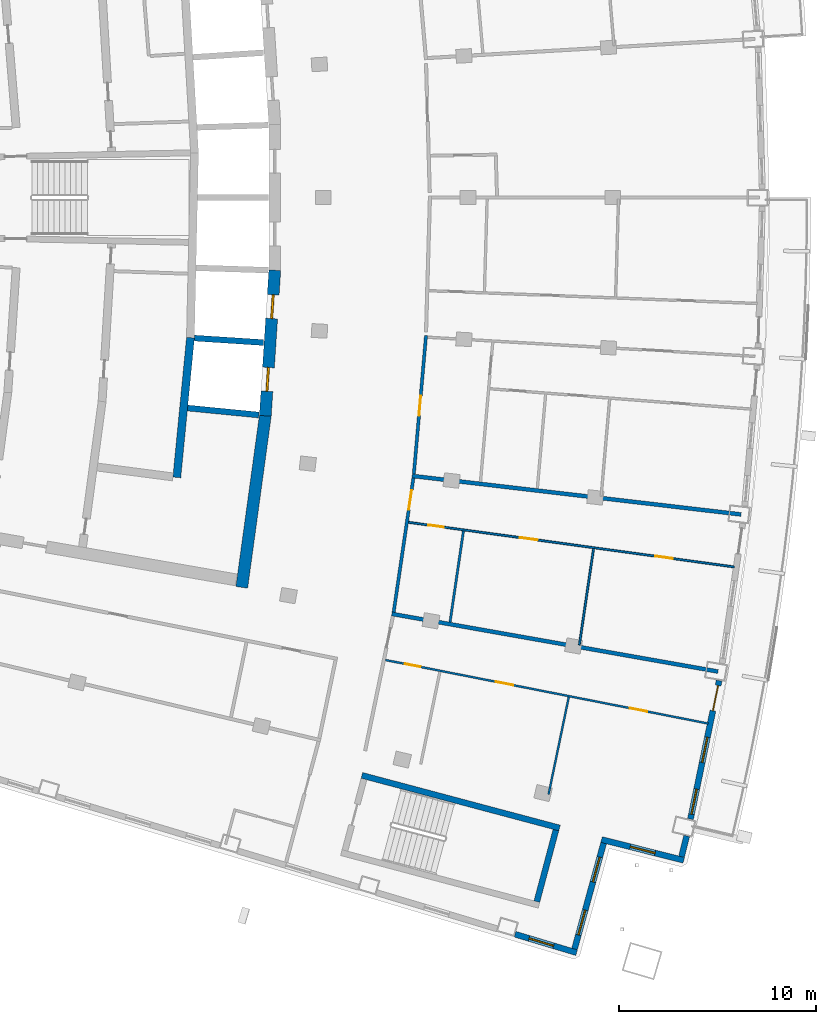
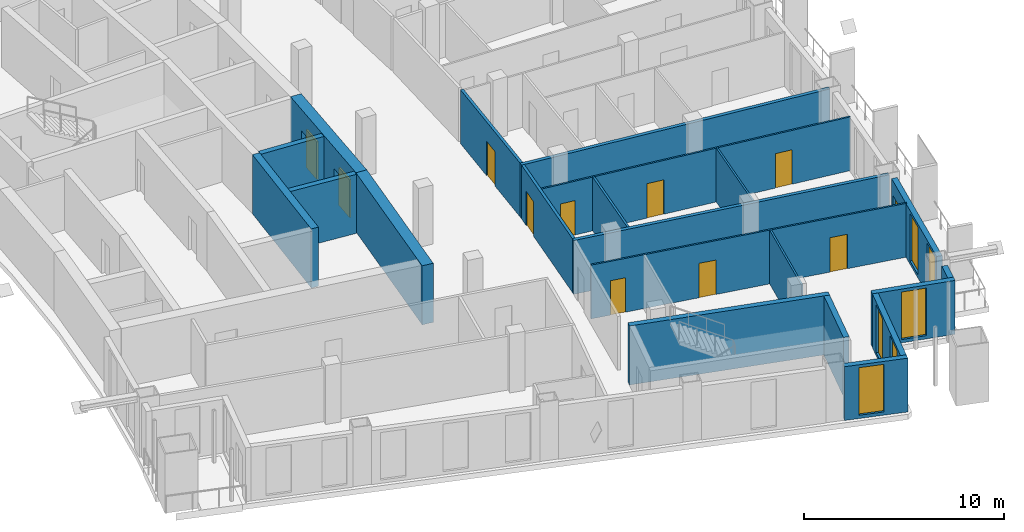
# One storey, part 10 of 17: 21 walls, 11 doors, 6 windows, 17 openings.
"""IFC4 building model written with IfcOpenShell, lengths in metres."""

import ifcopenshell
import ifcopenshell.guid

model = None  # the IFC model being written
_history = None  # IfcOwnerHistory: only IFC2X3 demands one
_inside = {}  # id of a spatial element -> (the spatial element, [elements in it])
_under = {}  # id of a project, library or spatial element -> (it, [spatial elements below it])
_declared = {}  # id of a project -> (the project, [libraries it declares])
_typed = {}  # id of a type object -> (the type object, [elements of that type])
_made_of = {}  # id of a material, layer set ... -> (it, [elements and type objects made of it])


def new_model(schema):
    """Start an empty IFC model of exactly this schema.

    Asked for "IFC4X3", IfcOpenShell would pick the latest addendum, in which some entities
    have other attributes; the version numbers below select the first issue.
    IFC2X3 requires an IfcOwnerHistory on every rooted entity: one is made here for all.
    """
    global model, _history
    if schema == "IFC4X3":
        model = ifcopenshell.file(schema_version=(4, 3, 0, 0))
    else:
        model = ifcopenshell.file(schema=schema)
    _inside.clear()
    _under.clear()
    _declared.clear()
    _typed.clear()
    _made_of.clear()
    _history = None
    if model.schema == "IFC2X3":
        org = make("IfcOrganization", Name="unknown")
        user = make(
            "IfcPersonAndOrganization",
            ThePerson=make("IfcPerson", FamilyName="unknown"),
            TheOrganization=org,
        )
        app = make(
            "IfcApplication",
            ApplicationDeveloper=org,
            Version="unknown",
            ApplicationFullName="unknown",
            ApplicationIdentifier="unknown",
        )
        _history = make(
            "IfcOwnerHistory",
            OwningUser=user,
            OwningApplication=app,
            ChangeAction="ADDED",
            CreationDate=0,
        )
    return model


def make(cls, **values):
    """One entity of the class cls with the attributes given. An attribute that is None is left unset."""
    return model.create_entity(
        cls, **{name: value for name, value in values.items() if value is not None}
    )


def rooted(cls, **values):
    """An entity with a GlobalId (a new one), such as an element, a storey or a relation."""
    return make(cls, GlobalId=ifcopenshell.guid.new(), OwnerHistory=_history, **values)


def si_unit(unit_type, name, prefix=None):
    """IfcSIUnit, for example si_unit("LENGTHUNIT", "METRE", prefix="MILLI")."""
    return make("IfcSIUnit", UnitType=unit_type, Prefix=prefix, Name=name)


def assignment(units):
    """IfcUnitAssignment: the units of a project."""
    return None if units is None else make("IfcUnitAssignment", Units=units)


def point(xyz):
    """IfcCartesianPoint."""
    return None if xyz is None else make("IfcCartesianPoint", Coordinates=xyz)


def direction(xyz):
    """IfcDirection."""
    return None if xyz is None else make("IfcDirection", DirectionRatios=xyz)


def frame(location, z_axis=None, x_axis=None):
    """IfcAxis2Placement3D, a coordinate frame: its origin and axes. An axis left out is left unset."""
    return make(
        "IfcAxis2Placement3D",
        Location=point(location),
        Axis=direction(z_axis),
        RefDirection=direction(x_axis),
    )


def frame_2d(location, x_axis=None):
    """IfcAxis2Placement2D, a coordinate frame in the plane: its origin and x axis."""
    return make(
        "IfcAxis2Placement2D", Location=point(location), RefDirection=direction(x_axis)
    )


def origin():
    """The frame at (0, 0, 0) with its axes left unset."""
    return frame((0.0, 0.0, 0.0))


def place(relative_to, where):
    """IfcLocalPlacement: puts the frame where relative to a parent placement (None: the world)."""
    return make(
        "IfcLocalPlacement", PlacementRelTo=relative_to, RelativePlacement=where
    )


def context(
    kind, dimensions, precision=None, world=None, true_north=None, identifier=None
):
    """IfcGeometricRepresentationContext, for example the 3D "Model" context."""
    return make(
        "IfcGeometricRepresentationContext",
        ContextIdentifier=identifier,
        ContextType=kind,
        CoordinateSpaceDimension=dimensions,
        Precision=precision,
        WorldCoordinateSystem=world,
        TrueNorth=true_north,
    )


def subcontext(parent, identifier, kind, view, scale=None):
    """IfcGeometricRepresentationSubContext, for example "Body" below "Model"."""
    return make(
        "IfcGeometricRepresentationSubContext",
        ContextIdentifier=identifier,
        ContextType=kind,
        ParentContext=parent,
        TargetScale=scale,
        TargetView=view,
    )


def project(units=None, contexts=None):
    """IfcProject with its units and contexts."""
    return rooted(
        "IfcProject",
        Name="project",
        RepresentationContexts=contexts,
        UnitsInContext=assignment(units),
    )


def spatial(cls, under=None, at=None, **own):
    """A site, building, storey or space (cls), placed at a placement, below another one or the project."""
    s = rooted(cls, ObjectPlacement=at, **own)
    if under is not None:
        _under.setdefault(under.id(), (under, []))[1].append(s)
    return s


def profile(cls, at=None, kind="AREA", **sizes):
    """A parametric profile (cls). Its sizes go by their IFC names, for example OverallWidth=200.0."""
    return make(cls, ProfileType=kind, Position=at, **sizes)


def rectangle(**sizes):
    """IfcRectangleProfileDef."""
    return profile("IfcRectangleProfileDef", **sizes)


def extrude(swept, where, along, depth):
    """IfcExtrudedAreaSolid: the profile swept, set in the frame where, extruded along a direction by depth."""
    return make(
        "IfcExtrudedAreaSolid",
        SweptArea=swept,
        Position=where,
        ExtrudedDirection=direction(along),
        Depth=depth,
    )


def shape(context_of_items, identifier, shape_type, items):
    """IfcShapeRepresentation: the items that make up one representation, for example the "Body"."""
    return make(
        "IfcShapeRepresentation",
        ContextOfItems=context_of_items,
        RepresentationIdentifier=identifier,
        RepresentationType=shape_type,
        Items=items,
    )


def material(Name=None, Category=None):
    """IfcMaterial."""
    return make("IfcMaterial", Name=Name, Category=Category)


def layer(
    of_material, thickness, ventilated=None, Name=None, Category=None, Priority=None
):
    """IfcMaterialLayer: one layer of a wall or slab, of a material (None: an air gap)."""
    return make(
        "IfcMaterialLayer",
        Material=of_material,
        LayerThickness=thickness,
        IsVentilated=ventilated,
        Name=Name,
        Category=Category,
        Priority=Priority,
    )


def layer_set(layers, Name=None):
    """IfcMaterialLayerSet."""
    return make("IfcMaterialLayerSet", MaterialLayers=layers, LayerSetName=Name)


def made_of(thing, what):
    """Note that an element or type object is made of a material, layer set ...; save() writes the relation."""
    if what is not None:
        _made_of.setdefault(what.id(), (what, []))[1].append(thing)
    return thing


def type_object(cls, material=None, **own):
    """A type object (cls), such as IfcWallType, which elements share."""
    return made_of(rooted(cls, **own), material)


def element(
    cls,
    number,
    at=None,
    inside=None,
    cuts=None,
    type_object=None,
    material=None,
    context=None,
    identifier="Body",
    shape_type=None,
    held_by="IfcProductDefinitionShape",
    body=None,
    shapes=None,
    **own,
):
    """One element of the class cls, such as IfcWall. Its Tag is "e" and its number.

    at: its placement. inside: the storey or other place that contains it. cuts: it is an
    opening in that element (IfcRelVoidsElement). A single representation is given by context,
    identifier, shape_type and body (its items); several are given by shapes. held_by: the class
    of the entity that holds the representations. save() writes the other relations.
    """
    e = rooted(cls, Tag="e%d" % number, ObjectPlacement=at, **own)
    if body is not None:
        shapes = [shape(context, identifier, shape_type, body)]
    if shapes is not None:
        e.Representation = make(held_by, Representations=shapes)
    if inside is not None:
        _inside.setdefault(inside.id(), (inside, []))[1].append(e)
    if cuts is not None:
        rooted(
            "IfcRelVoidsElement", RelatingBuildingElement=cuts, RelatedOpeningElement=e
        )
    if type_object is not None:
        _typed.setdefault(type_object.id(), (type_object, []))[1].append(e)
    return made_of(e, material)


def fill(opening, filler):
    """IfcRelFillsElement: the door or window that sits in an opening."""
    return rooted(
        "IfcRelFillsElement",
        RelatingOpeningElement=opening,
        RelatedBuildingElement=filler,
    )


def aggregate(whole, parts):
    """IfcRelAggregates: a whole, such as a stair, and the parts it consists of."""
    return rooted("IfcRelAggregates", RelatingObject=whole, RelatedObjects=parts)


def save(model, path):
    """Write the relations noted so far, then the file.

    IfcRelAggregates (storeys below a building ...), IfcRelContainedInSpatialStructure (elements
    in a storey), IfcRelDefinesByType, IfcRelAssociatesMaterial and IfcRelDeclares: one each for
    every whole, place, type object, material and project.
    """
    for whole, parts in _under.values():
        aggregate(whole, parts)
    for where, things in _inside.values():
        rooted(
            "IfcRelContainedInSpatialStructure",
            RelatedElements=things,
            RelatingStructure=where,
        )
    for kind, things in _typed.values():
        rooted("IfcRelDefinesByType", RelatedObjects=things, RelatingType=kind)
    for what, things in _made_of.values():
        rooted("IfcRelAssociatesMaterial", RelatedObjects=things, RelatingMaterial=what)
    for by, libraries in _declared.values():
        rooted("IfcRelDeclares", RelatingContext=by, RelatedDefinitions=libraries)
    model.write(path)


model = new_model("IFC4")

# Units and contexts
model_context = context("Model", 3, precision=1e-05, world=origin(), true_north=direction((0.0, 1.0)))
body_context = subcontext(model_context, "Body", "Model", "MODEL_VIEW")
ifc_project = project(units=[si_unit("LENGTHUNIT", "METRE"), si_unit("AREAUNIT", "SQUARE_METRE"), si_unit("VOLUMEUNIT", "CUBIC_METRE"), si_unit("PLANEANGLEUNIT", "RADIAN"), si_unit("MASSUNIT", "GRAM", prefix="KILO")], contexts=[model_context])

# Site, building, storey
site_placement = place(None, origin())
site = spatial("IfcSite", under=ifc_project, at=site_placement, CompositionType="ELEMENT")
building_placement = place(site_placement, origin())
building = spatial("IfcBuilding", under=site, at=building_placement, Name="Alderwake Tower", CompositionType="ELEMENT")
storey_placement = place(building_placement, frame((0.0, 0.0, 218.0)))
storey = spatial("IfcBuildingStorey", under=building, at=storey_placement, Name="L54", CompositionType="ELEMENT", Elevation=218.0)

# Wall
ifc_material_1 = material(Name="Concrete C70/85", Category="concrete")
ifc_layer_1 = layer(ifc_material_1, 0.60009765625)
ifc_layer_set_1 = layer_set([ifc_layer_1], Name="Core wall outer 600 C70-85")
wall_type_1 = type_object("IfcWallType", Name="Core wall outer 600 C70-85", PredefinedType="SHEAR", material=ifc_layer_set_1)
wall_1_placement = place(storey_placement, frame((31.66796875, 41.256103515625, 0.0), z_axis=(0.0, 0.0, 1.0), x_axis=(0.135856583698, 0.990728514108, 0.0)))
element("IfcWall", 1, at=wall_1_placement, inside=storey, type_object=wall_type_1, Name="Core wall CW.017", PredefinedType="SHEAR", context=body_context, shape_type="SweptSolid", body=[
    extrude(rectangle(XDim=8.79296875, YDim=0.60009765625, at=frame_2d((4.396484375, 0.0))), origin(), (0.0, 0.0, 1.0), 3.60009765625),
])

# Wall, openings, doors
wall_2_placement = place(storey_placement, frame((32.860107421875, 49.9453125, 0.0), z_axis=(0.0, 0.0, 1.0), x_axis=(0.065013379938, 0.997884392317, 0.0)))
wall_2 = element("IfcWall", 2, at=wall_2_placement, inside=storey, type_object=wall_type_1, Name="Core wall CW.016", PredefinedType="SHEAR", context=body_context, shape_type="SweptSolid", body=[
    extrude(rectangle(XDim=7.39404296875, YDim=0.60009765625, at=frame_2d((3.697021484375, 0.0))), origin(), (0.0, 0.0, 1.0), 3.60009765625),
])
opening_1_placement = place(wall_2_placement, frame((1.254150390625, 0.0, 0.0)))
opening_1 = element("IfcOpeningElement", 3, at=opening_1_placement, cuts=wall_2, Name="Opening LD-HP1", PredefinedType="OPENING", context=body_context, shape_type="SweptSolid", body=[
    extrude(rectangle(XDim=1.199951171875, YDim=2.300048828125, at=frame_2d((0.60009765625, 1.14990234375))), frame((0.0, 0.31005859375, 0.0), z_axis=(0.0, -1.0, 0.0), x_axis=(1.0, 0.0, 0.0)), (0.0, 0.0, 1.0), 0.6201171875),
])
opening_2_placement = place(wall_2_placement, frame((4.941162109375, 0.0, 0.0)))
opening_2 = element("IfcOpeningElement", 4, at=opening_2_placement, cuts=wall_2, Name="Opening LD-HP2", PredefinedType="OPENING", context=body_context, shape_type="SweptSolid", body=[
    extrude(rectangle(XDim=1.199951171875, YDim=2.300048828125, at=frame_2d((0.60009765625, 1.14990234375))), frame((0.0, 0.31005859375, 0.0), z_axis=(0.0, -1.0, 0.0), x_axis=(1.0, 0.0, 0.0)), (0.0, 0.0, 1.0), 0.6201171875),
])
ifc_material_2 = material(Name="Stainless steel sliding leaf", Category="steel")
door_type_1 = type_object("IfcDoorType", Name="Lift landing door 1200", OperationType="SLIDING_TO_LEFT", PredefinedType="DOOR", material=ifc_material_2)
door_1_placement = place(opening_1_placement, origin())
door_1 = element("IfcDoor", 5, at=door_1_placement, inside=storey, type_object=door_type_1, Name="Lift landing door HP1", OperationType="SLIDING_TO_LEFT", OverallHeight=2.300048828125, OverallWidth=1.199951171875, PredefinedType="DOOR", context=body_context, shape_type="SweptSolid", body=[
    extrude(rectangle(XDim=1.199951171875, YDim=2.300048828125, at=frame_2d((0.60009765625, 1.14990234375))), frame((0.0, 0.050048828125, 0.0), z_axis=(0.0, -1.0, 0.0), x_axis=(1.0, 0.0, 0.0)), (0.0, 0.0, 1.0), 0.10009765625),
])
fill(opening_1, door_1)
door_2_placement = place(opening_2_placement, origin())
door_2 = element("IfcDoor", 6, at=door_2_placement, inside=storey, type_object=door_type_1, Name="Lift landing door HP2", OperationType="SLIDING_TO_LEFT", OverallHeight=2.300048828125, OverallWidth=1.199951171875, PredefinedType="DOOR", context=body_context, shape_type="SweptSolid", body=[
    extrude(rectangle(XDim=1.199951171875, YDim=2.300048828125, at=frame_2d((0.60009765625, 1.14990234375))), frame((0.0, 0.050048828125, 0.0), z_axis=(0.0, -1.0, 0.0), x_axis=(1.0, 0.0, 0.0)), (0.0, 0.0, 1.0), 0.10009765625),
])
fill(opening_2, door_2)

# Walls
ifc_material_3 = material(Name="Concrete C70/85", Category="concrete")
ifc_layer_2 = layer(ifc_material_3, 0.300048828125)
ifc_layer_set_2 = layer_set([ifc_layer_2], Name="Core wall shaft 300 C70-85")
wall_type_2 = type_object("IfcWallType", Name="Core wall shaft 300 C70-85", PredefinedType="SHEAR", material=ifc_layer_set_2)
wall_3_placement = place(storey_placement, frame((28.922119140625, 50.341796875, 0.0), z_axis=(0.0, 0.0, 1.0), x_axis=(0.995246193762, -0.097391035529, 0.0)))
element("IfcWall", 7, at=wall_3_placement, inside=storey, type_object=wall_type_2, Name="Core wall CW.064", PredefinedType="SHEAR", context=body_context, shape_type="SweptSolid", body=[
    extrude(rectangle(XDim=3.62744140625, YDim=0.300048828125, at=frame_2d((1.813720703125, 0.0))), origin(), (0.0, 0.0, 1.0), 3.60009765625),
])
wall_4_placement = place(storey_placement, frame((29.268798828125, 53.884521484375, 0.0), z_axis=(0.0, 0.0, 1.0), x_axis=(0.997887366571, -0.064967712281, 0.0)))
element("IfcWall", 8, at=wall_4_placement, inside=storey, type_object=wall_type_2, Name="Core wall CW.078", PredefinedType="SHEAR", context=body_context, shape_type="SweptSolid", body=[
    extrude(rectangle(XDim=3.509765625, YDim=0.300048828125, at=frame_2d((1.7548828125, 0.0))), origin(), (0.0, 0.0, 1.0), 3.60009765625),
])
ifc_material_4 = material(Name="Concrete C70/85", Category="concrete")
ifc_layer_3 = layer(ifc_material_4, 0.39990234375)
ifc_layer_set_3 = layer_set([ifc_layer_3], Name="Core wall spine 400 C70-85")
wall_type_3 = type_object("IfcWallType", Name="Core wall spine 400 C70-85", PredefinedType="SHEAR", material=ifc_layer_set_3)
wall_5_placement = place(storey_placement, frame((28.376953125, 46.8251953125, 0.0), z_axis=(0.0, 0.0, 1.0), x_axis=(0.097393469943, 0.995245955537, 0.0)))
element("IfcWall", 9, at=wall_5_placement, inside=storey, type_object=wall_type_3, Name="Core wall CW.005", PredefinedType="SHEAR", context=body_context, shape_type="SweptSolid", body=[
    extrude(rectangle(XDim=7.1142578125, YDim=0.39990234375, at=frame_2d((3.55712890625, 0.0))), origin(), (0.0, 0.0, 1.0), 3.60009765625),
])
ifc_material_5 = material(Name="Concrete C70/85", Category="concrete")
ifc_layer_4 = layer(ifc_material_5, 0.300048828125)
ifc_layer_set_4 = layer_set([ifc_layer_4], Name="Core wall stair enclosure 300 C70-85")
wall_type_4 = type_object("IfcWallType", Name="Core wall stair enclosure 300 C70-85", PredefinedType="SHEAR", material=ifc_layer_set_4)
wall_6_placement = place(storey_placement, frame((37.75390625, 31.731201171875, 0.0), z_axis=(0.0, 0.0, 1.0), x_axis=(0.966309214305, -0.257383958996, 0.0)))
element("IfcWall", 10, at=wall_6_placement, inside=storey, type_object=wall_type_4, Name="Core wall CW.086", PredefinedType="SHEAR", context=body_context, shape_type="SweptSolid", body=[
    extrude(rectangle(XDim=10.360107421875, YDim=0.300048828125, at=frame_2d((5.18017578125, 0.0))), origin(), (0.0, 0.0, 1.0), 3.60009765625),
])
wall_7_placement = place(storey_placement, frame((46.6162109375, 25.334716796875, 0.0), z_axis=(0.0, 0.0, 1.0), x_axis=(0.257366821694, 0.966313778796, 0.0)))
element("IfcWall", 11, at=wall_7_placement, inside=storey, type_object=wall_type_4, Name="Core wall CW.085", PredefinedType="SHEAR", context=body_context, shape_type="SweptSolid", body=[
    extrude(rectangle(XDim=3.749755859375, YDim=0.300048828125, at=frame_2d((1.875, 0.0))), origin(), (0.0, 0.0, 1.0), 3.60009765625),
])

# Wall, opening, door
ifc_material_6 = material(Name="Gypsum board on metal studs, rated")
ifc_layer_5 = layer(ifc_material_6, 0.159912109375)
ifc_layer_set_5 = layer_set([ifc_layer_5], Name="Corridor wall 160")
wall_type_5 = type_object("IfcWallType", Name="Corridor wall 160", PredefinedType="PARTITIONING", material=ifc_layer_set_5)
wall_8_placement = place(storey_placement, frame((40.3623046875, 46.7939453125, 0.0), z_axis=(0.0, 0.0, 1.0), x_axis=(-0.1455042199, -0.989357630987, 0.0)))
wall_8 = element("IfcWall", 12, at=wall_8_placement, inside=storey, type_object=wall_type_5, Name="WL/L54/W19", PredefinedType="PARTITIONING", context=body_context, shape_type="SweptSolid", body=[
    extrude(rectangle(XDim=6.87109375, YDim=0.159912109375, at=frame_2d((3.435546875, 0.0))), origin(), (0.0, 0.0, 1.0), 3.280029296875),
])
opening_3_placement = place(wall_8_placement, frame((0.628662109375, 0.0, 0.0)))
opening_3 = element("IfcOpeningElement", 13, at=opening_3_placement, cuts=wall_8, Name="Opening R15-U04.2", PredefinedType="OPENING", context=body_context, shape_type="SweptSolid", body=[
    extrude(rectangle(XDim=1.0, YDim=2.10009765625, at=frame_2d((0.5, 1.050048828125))), frame((0.0, 0.08984375, 0.0), z_axis=(0.0, -1.0, 0.0), x_axis=(1.0, 0.0, 0.0)), (0.0, 0.0, 1.0), 0.179931640625),
])
ifc_material_7 = material(Name="Solid timber leaf in steel frame", Category="steel")
door_type_2 = type_object("IfcDoorType", Name="Flat entrance door 1000 fire-rated", OperationType="SINGLE_SWING_LEFT", PredefinedType="DOOR", material=ifc_material_7)
door_3_placement = place(opening_3_placement, origin())
door_3 = element("IfcDoor", 14, at=door_3_placement, inside=storey, type_object=door_type_2, Name="DR/L54/U04.2", OperationType="SINGLE_SWING_LEFT", OverallHeight=2.10009765625, OverallWidth=1.0, PredefinedType="DOOR", context=body_context, shape_type="SweptSolid", body=[
    extrude(rectangle(XDim=1.0, YDim=2.10009765625, at=frame_2d((0.5, 1.050048828125))), frame((0.0, 0.02490234375, 0.0), z_axis=(0.0, -1.0, 0.0), x_axis=(1.0, 0.0, 0.0)), (0.0, 0.0, 1.0), 0.050048828125),
])
fill(opening_3, door_3)

wall_9_placement = place(storey_placement, frame((41.001953125, 54.013671875, 0.0), z_axis=(0.0, 0.0, 1.0), x_axis=(-0.087430787456, -0.996170596537, 0.0)))
wall_9 = element("IfcWall", 15, at=wall_9_placement, inside=storey, type_object=wall_type_5, Name="WL/L54/W21", PredefinedType="PARTITIONING", context=body_context, shape_type="SweptSolid", body=[
    extrude(rectangle(XDim=7.048095703125, YDim=0.159912109375, at=frame_2d((3.52392578125, 0.0))), origin(), (0.0, 0.0, 1.0), 3.280029296875),
])
opening_4_placement = place(wall_9_placement, frame((3.064208984375, 0.0, 0.0)))
opening_4 = element("IfcOpeningElement", 16, at=opening_4_placement, cuts=wall_9, Name="Opening R15-U05.2", PredefinedType="OPENING", context=body_context, shape_type="SweptSolid", body=[
    extrude(rectangle(XDim=1.0, YDim=2.10009765625, at=frame_2d((0.5, 1.050048828125))), frame((0.0, 0.08984375, 0.0), z_axis=(0.0, -1.0, 0.0), x_axis=(1.0, 0.0, 0.0)), (0.0, 0.0, 1.0), 0.179931640625),
])
door_4_placement = place(opening_4_placement, origin())
door_4 = element("IfcDoor", 17, at=door_4_placement, inside=storey, type_object=door_type_2, Name="DR/L54/U05.2", OperationType="SINGLE_SWING_LEFT", OverallHeight=2.10009765625, OverallWidth=1.0, PredefinedType="DOOR", context=body_context, shape_type="SweptSolid", body=[
    extrude(rectangle(XDim=1.0, YDim=2.10009765625, at=frame_2d((0.5, 1.050048828125))), frame((0.0, 0.02490234375, 0.0), z_axis=(0.0, -1.0, 0.0), x_axis=(1.0, 0.0, 0.0)), (0.0, 0.0, 1.0), 0.050048828125),
])
fill(opening_4, door_4)

# Wall
ifc_material_8 = material(Name="Precast concrete C50/60 spandrel panel", Category="concrete")
ifc_layer_6 = layer(ifc_material_8, 0.300048828125)
ifc_layer_set_6 = layer_set([ifc_layer_6], Name="External wall EW1 Precast concrete C50/60 spandrel")
wall_type_6 = type_object("IfcWallType", Name="External wall EW1 Precast concrete C50/60 spandrel", PredefinedType="SOLIDWALL", material=ifc_layer_set_6)
wall_10_placement = place(storey_placement, frame((53.948486328125, 27.610107421875, 0.0), z_axis=(0.0, 0.0, 1.0), x_axis=(0.238129221178, 0.971233480694, 0.0)))
element("IfcWall", 18, at=wall_10_placement, inside=storey, type_object=wall_type_6, Name="External wall 11", PredefinedType="SOLIDWALL", context=body_context, shape_type="SweptSolid", body=[
    extrude(rectangle(XDim=1.082763671875, YDim=0.300048828125, at=frame_2d((0.54150390625, 0.0))), origin(), (0.0, 0.0, 1.0), 3.280029296875),
])

# Wall, openings, door, windows
wall_11_placement = place(storey_placement, frame((54.399658203125, 29.517822265625, 0.0), z_axis=(0.0, 0.0, 1.0), x_axis=(0.202724039507, 0.979235908148, 0.0)))
wall_11 = element("IfcWall", 19, at=wall_11_placement, inside=storey, type_object=wall_type_6, Name="External wall 12", PredefinedType="SOLIDWALL", context=body_context, shape_type="SweptSolid", body=[
    extrude(rectangle(XDim=7.1572265625, YDim=0.300048828125, at=frame_2d((3.57861328125, 0.0))), origin(), (0.0, 0.0, 1.0), 3.280029296875),
])
opening_5_placement = place(wall_11_placement, frame((0.24951171875, 0.0, 0.199951171875)))
opening_5 = element("IfcOpeningElement", 20, at=opening_5_placement, cuts=wall_11, Name="Opening W1", PredefinedType="OPENING", context=body_context, shape_type="SweptSolid", body=[
    extrude(rectangle(XDim=1.300048828125, YDim=2.89990234375, at=frame_2d((0.64990234375, 1.449951171875))), frame((0.0, 0.159912109375, 0.0), z_axis=(0.0, -1.0, 0.0), x_axis=(1.0, 0.0, 0.0)), (0.0, 0.0, 1.0), 0.320068359375),
])
opening_6_placement = place(wall_11_placement, frame((2.928466796875, 0.0, 0.199951171875)))
opening_6 = element("IfcOpeningElement", 21, at=opening_6_placement, cuts=wall_11, Name="Opening W1", PredefinedType="OPENING", context=body_context, shape_type="SweptSolid", body=[
    extrude(rectangle(XDim=1.300048828125, YDim=2.89990234375, at=frame_2d((0.64990234375, 1.449951171875))), frame((0.0, 0.159912109375, 0.0), z_axis=(0.0, -1.0, 0.0), x_axis=(1.0, 0.0, 0.0)), (0.0, 0.0, 1.0), 0.320068359375),
])
opening_7_placement = place(wall_11_placement, frame((5.607666015625, 0.0, 0.0)))
opening_7 = element("IfcOpeningElement", 22, at=opening_7_placement, cuts=wall_11, Name="Opening D02", PredefinedType="OPENING", context=body_context, shape_type="SweptSolid", body=[
    extrude(rectangle(XDim=1.300048828125, YDim=2.39990234375, at=frame_2d((0.64990234375, 1.199951171875))), frame((0.0, 0.159912109375, 0.0), z_axis=(0.0, -1.0, 0.0), x_axis=(1.0, 0.0, 0.0)), (0.0, 0.0, 1.0), 0.320068359375),
])
ifc_material_9 = material(Name="Bronze tinted glass in aluminium frame", Category="aluminium")
door_type_3 = type_object("IfcDoorType", Name="Balcony door BD sliding", OperationType="SLIDING_TO_LEFT", PredefinedType="DOOR", material=ifc_material_9)
door_5_placement = place(opening_7_placement, origin())
door_5 = element("IfcDoor", 23, at=door_5_placement, inside=storey, type_object=door_type_3, Name="Door D02", OperationType="SLIDING_TO_LEFT", OverallHeight=2.39990234375, OverallWidth=1.300048828125, PredefinedType="DOOR", context=body_context, shape_type="SweptSolid", body=[
    extrude(rectangle(XDim=1.300048828125, YDim=2.39990234375, at=frame_2d((0.64990234375, 1.199951171875))), frame((0.0, 0.02490234375, 0.0), z_axis=(0.0, -1.0, 0.0), x_axis=(1.0, 0.0, 0.0)), (0.0, 0.0, 1.0), 0.050048828125),
])
fill(opening_7, door_5)
ifc_material_10 = material(Name="Bronze tinted glass in aluminium frame", Category="aluminium")
window_type = type_object("IfcWindowType", Name="Window W1 tall fixed and vent", PartitioningType="DOUBLE_PANEL_VERTICAL", PredefinedType="WINDOW", material=ifc_material_10)
window_1_placement = place(opening_5_placement, origin())
window_1 = element("IfcWindow", 24, at=window_1_placement, inside=storey, type_object=window_type, Name="Window W1 tall fixed and vent", OverallHeight=2.89990234375, OverallWidth=1.300048828125, PartitioningType="DOUBLE_PANEL_VERTICAL", PredefinedType="WINDOW", context=body_context, shape_type="SweptSolid", body=[
    extrude(rectangle(XDim=1.300048828125, YDim=2.89990234375, at=frame_2d((0.64990234375, 1.449951171875))), frame((0.0, 0.030029296875, 0.0), z_axis=(0.0, -1.0, 0.0), x_axis=(1.0, 0.0, 0.0)), (0.0, 0.0, 1.0), 0.06005859375),
])
fill(opening_5, window_1)
window_2_placement = place(opening_6_placement, origin())
window_2 = element("IfcWindow", 25, at=window_2_placement, inside=storey, type_object=window_type, Name="Window W1 tall fixed and vent", OverallHeight=2.89990234375, OverallWidth=1.300048828125, PartitioningType="DOUBLE_PANEL_VERTICAL", PredefinedType="WINDOW", context=body_context, shape_type="SweptSolid", body=[
    extrude(rectangle(XDim=1.300048828125, YDim=2.89990234375, at=frame_2d((0.64990234375, 1.449951171875))), frame((0.0, 0.030029296875, 0.0), z_axis=(0.0, -1.0, 0.0), x_axis=(1.0, 0.0, 0.0)), (0.0, 0.0, 1.0), 0.06005859375),
])
fill(opening_6, window_2)

# Wall, opening, window
ifc_material_11 = material(Name="Bronze metal cladding on lightweight framing")
ifc_layer_7 = layer(ifc_material_11, 0.300048828125)
ifc_layer_set_7 = layer_set([ifc_layer_7], Name="External wall EW2 bronze metal cladding")
wall_type_7 = type_object("IfcWallType", Name="External wall EW2 bronze metal cladding", PredefinedType="SOLIDWALL", material=ifc_layer_set_7)
wall_12_placement = place(storey_placement, frame((45.512451171875, 23.68310546875, 0.0), z_axis=(0.0, 0.0, 1.0), x_axis=(0.95777258911, -0.287526811878, 0.0)))
wall_12 = element("IfcWall", 26, at=wall_12_placement, inside=storey, type_object=wall_type_7, Name="External wall 8", PredefinedType="SOLIDWALL", context=body_context, shape_type="SweptSolid", body=[
    extrude(rectangle(XDim=3.254638671875, YDim=0.300048828125, at=frame_2d((1.62744140625, 0.0))), origin(), (0.0, 0.0, 1.0), 3.280029296875),
])
opening_8_placement = place(wall_12_placement, frame((0.739013671875, 0.0, 0.199951171875)))
opening_8 = element("IfcOpeningElement", 27, at=opening_8_placement, cuts=wall_12, Name="Opening W1", PredefinedType="OPENING", context=body_context, shape_type="SweptSolid", body=[
    extrude(rectangle(XDim=1.300048828125, YDim=2.89990234375, at=frame_2d((0.64990234375, 1.449951171875))), frame((0.0, 0.159912109375, 0.0), z_axis=(0.0, -1.0, 0.0), x_axis=(1.0, 0.0, 0.0)), (0.0, 0.0, 1.0), 0.320068359375),
])
window_3_placement = place(opening_8_placement, origin())
window_3 = element("IfcWindow", 28, at=window_3_placement, inside=storey, type_object=window_type, Name="Window W1 tall fixed and vent", OverallHeight=2.89990234375, OverallWidth=1.300048828125, PartitioningType="DOUBLE_PANEL_VERTICAL", PredefinedType="WINDOW", context=body_context, shape_type="SweptSolid", body=[
    extrude(rectangle(XDim=1.300048828125, YDim=2.89990234375, at=frame_2d((0.64990234375, 1.449951171875))), frame((0.0, 0.030029296875, 0.0), z_axis=(0.0, -1.0, 0.0), x_axis=(1.0, 0.0, 0.0)), (0.0, 0.0, 1.0), 0.06005859375),
])
fill(opening_8, window_3)

# Wall, openings, windows
wall_13_placement = place(storey_placement, frame((48.525634765625, 22.934814453125, 0.0), z_axis=(0.0, 0.0, 1.0), x_axis=(0.265099374795, 0.964221095747, 0.0)))
wall_13 = element("IfcWall", 29, at=wall_13_placement, inside=storey, type_object=wall_type_7, Name="External wall 9", PredefinedType="SOLIDWALL", context=body_context, shape_type="SweptSolid", body=[
    extrude(rectangle(XDim=5.564208984375, YDim=0.300048828125, at=frame_2d((2.7822265625, 0.0))), origin(), (0.0, 0.0, 1.0), 3.280029296875),
])
opening_9_placement = place(wall_13_placement, frame((0.740966796875, 0.0, 0.199951171875)))
opening_9 = element("IfcOpeningElement", 30, at=opening_9_placement, cuts=wall_13, Name="Opening W1", PredefinedType="OPENING", context=body_context, shape_type="SweptSolid", body=[
    extrude(rectangle(XDim=1.300048828125, YDim=2.89990234375, at=frame_2d((0.64990234375, 1.449951171875))), frame((0.0, 0.159912109375, 0.0), z_axis=(0.0, -1.0, 0.0), x_axis=(1.0, 0.0, 0.0)), (0.0, 0.0, 1.0), 0.320068359375),
])
opening_10_placement = place(wall_13_placement, frame((3.523193359375, 0.0, 0.199951171875)))
opening_10 = element("IfcOpeningElement", 31, at=opening_10_placement, cuts=wall_13, Name="Opening W1", PredefinedType="OPENING", context=body_context, shape_type="SweptSolid", body=[
    extrude(rectangle(XDim=1.300048828125, YDim=2.89990234375, at=frame_2d((0.64990234375, 1.449951171875))), frame((0.0, 0.159912109375, 0.0), z_axis=(0.0, -1.0, 0.0), x_axis=(1.0, 0.0, 0.0)), (0.0, 0.0, 1.0), 0.320068359375),
])
window_4_placement = place(opening_9_placement, origin())
window_4 = element("IfcWindow", 32, at=window_4_placement, inside=storey, type_object=window_type, Name="Window W1 tall fixed and vent", OverallHeight=2.89990234375, OverallWidth=1.300048828125, PartitioningType="DOUBLE_PANEL_VERTICAL", PredefinedType="WINDOW", context=body_context, shape_type="SweptSolid", body=[
    extrude(rectangle(XDim=1.300048828125, YDim=2.89990234375, at=frame_2d((0.64990234375, 1.449951171875))), frame((0.0, 0.030029296875, 0.0), z_axis=(0.0, -1.0, 0.0), x_axis=(1.0, 0.0, 0.0)), (0.0, 0.0, 1.0), 0.06005859375),
])
fill(opening_9, window_4)
window_5_placement = place(opening_10_placement, origin())
window_5 = element("IfcWindow", 33, at=window_5_placement, inside=storey, type_object=window_type, Name="Window W1 tall fixed and vent", OverallHeight=2.89990234375, OverallWidth=1.300048828125, PartitioningType="DOUBLE_PANEL_VERTICAL", PredefinedType="WINDOW", context=body_context, shape_type="SweptSolid", body=[
    extrude(rectangle(XDim=1.300048828125, YDim=2.89990234375, at=frame_2d((0.64990234375, 1.449951171875))), frame((0.0, 0.030029296875, 0.0), z_axis=(0.0, -1.0, 0.0), x_axis=(1.0, 0.0, 0.0)), (0.0, 0.0, 1.0), 0.06005859375),
])
fill(opening_10, window_5)

# Wall, opening, window
wall_14_placement = place(storey_placement, frame((49.89501953125, 28.4814453125, 0.0), z_axis=(0.0, 0.0, 1.0), x_axis=(0.969429385377, -0.245370468408, 0.0)))
wall_14 = element("IfcWall", 34, at=wall_14_placement, inside=storey, type_object=wall_type_7, Name="External wall 10", PredefinedType="SOLIDWALL", context=body_context, shape_type="SweptSolid", body=[
    extrude(rectangle(XDim=4.29443359375, YDim=0.300048828125, at=frame_2d((2.147216796875, 0.0))), origin(), (0.0, 0.0, 1.0), 3.280029296875),
])
opening_11_placement = place(wall_14_placement, frame((1.4970703125, 0.0, 0.199951171875)))
opening_11 = element("IfcOpeningElement", 35, at=opening_11_placement, cuts=wall_14, Name="Opening W1", PredefinedType="OPENING", context=body_context, shape_type="SweptSolid", body=[
    extrude(rectangle(XDim=1.300048828125, YDim=2.89990234375, at=frame_2d((0.64990234375, 1.449951171875))), frame((0.0, 0.159912109375, 0.0), z_axis=(0.0, -1.0, 0.0), x_axis=(1.0, 0.0, 0.0)), (0.0, 0.0, 1.0), 0.320068359375),
])
window_6_placement = place(opening_11_placement, origin())
window_6 = element("IfcWindow", 36, at=window_6_placement, inside=storey, type_object=window_type, Name="Window W1 tall fixed and vent", OverallHeight=2.89990234375, OverallWidth=1.300048828125, PartitioningType="DOUBLE_PANEL_VERTICAL", PredefinedType="WINDOW", context=body_context, shape_type="SweptSolid", body=[
    extrude(rectangle(XDim=1.300048828125, YDim=2.89990234375, at=frame_2d((0.64990234375, 1.449951171875))), frame((0.0, 0.030029296875, 0.0), z_axis=(0.0, -1.0, 0.0), x_axis=(1.0, 0.0, 0.0)), (0.0, 0.0, 1.0), 0.06005859375),
])
fill(opening_11, window_6)

# Walls
ifc_material_12 = material(Name="Dense block masonry wall", Category="masonry")
ifc_layer_8 = layer(ifc_material_12, 0.199951171875)
ifc_layer_set_8 = layer_set([ifc_layer_8], Name="Party wall 200")
wall_type_8 = type_object("IfcWallType", Name="Party wall 200", PredefinedType="SOLIDWALL", material=ifc_layer_set_8)
wall_15_placement = place(storey_placement, frame((55.7939453125, 36.989990234375, 0.0), z_axis=(0.0, 0.0, 1.0), x_axis=(-0.984734747419, 0.174061705225, 0.0)))
element("IfcWall", 37, at=wall_15_placement, inside=storey, type_object=wall_type_8, Name="WL/L54/W01", PredefinedType="SOLIDWALL", context=body_context, shape_type="SweptSolid", body=[
    extrude(rectangle(XDim=16.78076171875, YDim=0.199951171875, at=frame_2d((8.390380859375, 0.0))), origin(), (0.0, 0.0, 1.0), 3.280029296875),
])
wall_16_placement = place(storey_placement, frame((56.964111328125, 44.948974609375, 0.0), z_axis=(0.0, 0.0, 1.0), x_axis=(-0.993201654104, 0.116406504475, 0.0)))
element("IfcWall", 38, at=wall_16_placement, inside=storey, type_object=wall_type_8, Name="WL/L54/W03", PredefinedType="SOLIDWALL", context=body_context, shape_type="SweptSolid", body=[
    extrude(rectangle(XDim=16.780517578125, YDim=0.199951171875, at=frame_2d((8.39013671875, 0.0))), origin(), (0.0, 0.0, 1.0), 3.280029296875),
])

# Wall, openings, doors
ifc_material_13 = material(Name="Gypsum board on metal studs")
ifc_layer_9 = layer(ifc_material_13, 0.10009765625)
ifc_layer_set_9 = layer_set([ifc_layer_9], Name="Unit partition 100")
wall_type_9 = type_object("IfcWallType", Name="Unit partition 100", PredefinedType="PARTITIONING", material=ifc_layer_set_9)
wall_17_placement = place(storey_placement, frame((55.299072265625, 34.35595703125, 0.0), z_axis=(0.0, 0.0, 1.0), x_axis=(-0.981169565735, 0.193148345256, 0.0)))
wall_17 = element("IfcWall", 39, at=wall_17_placement, inside=storey, type_object=wall_type_9, Name="WL/L54/W41", PredefinedType="PARTITIONING", context=body_context, shape_type="SweptSolid", body=[
    extrude(rectangle(XDim=16.663330078125, YDim=0.10009765625, at=frame_2d((8.33154296875, 0.0))), origin(), (0.0, 0.0, 1.0), 3.280029296875),
])
opening_12_placement = place(wall_17_placement, frame((10.068603515625, 0.0, 0.0)))
opening_12 = element("IfcOpeningElement", 40, at=opening_12_placement, cuts=wall_17, Name="Opening R15-U03.1", PredefinedType="OPENING", context=body_context, shape_type="SweptSolid", body=[
    extrude(rectangle(XDim=0.89990234375, YDim=2.10009765625, at=frame_2d((0.449951171875, 1.050048828125))), frame((0.0, 0.06005859375, 0.0), z_axis=(0.0, -1.0, 0.0), x_axis=(1.0, 0.0, 0.0)), (0.0, 0.0, 1.0), 0.1201171875),
])
opening_13_placement = place(wall_17_placement, frame((14.85400390625, 0.0, 0.0)))
opening_13 = element("IfcOpeningElement", 41, at=opening_13_placement, cuts=wall_17, Name="Opening R15-U03.3", PredefinedType="OPENING", context=body_context, shape_type="SweptSolid", body=[
    extrude(rectangle(XDim=0.800048828125, YDim=2.10009765625, at=frame_2d((0.39990234375, 1.050048828125))), frame((0.0, 0.06005859375, 0.0), z_axis=(0.0, -1.0, 0.0), x_axis=(1.0, 0.0, 0.0)), (0.0, 0.0, 1.0), 0.1201171875),
])
opening_14_placement = place(wall_17_placement, frame((3.146728515625, 0.0, 0.0)))
opening_14 = element("IfcOpeningElement", 42, at=opening_14_placement, cuts=wall_17, Name="Opening R15-U03.4", PredefinedType="OPENING", context=body_context, shape_type="SweptSolid", body=[
    extrude(rectangle(XDim=0.89990234375, YDim=2.10009765625, at=frame_2d((0.449951171875, 1.050048828125))), frame((0.0, 0.06005859375, 0.0), z_axis=(0.0, -1.0, 0.0), x_axis=(1.0, 0.0, 0.0)), (0.0, 0.0, 1.0), 0.1201171875),
])
ifc_material_14 = material(Name="Painted timber leaf", Category="wood")
door_type_4 = type_object("IfcDoorType", Name="Bathroom door 800", OperationType="SINGLE_SWING_LEFT", PredefinedType="DOOR", material=ifc_material_14)
door_6_placement = place(opening_13_placement, origin())
door_6 = element("IfcDoor", 43, at=door_6_placement, inside=storey, type_object=door_type_4, Name="DR/L54/U03.3", OperationType="SINGLE_SWING_LEFT", OverallHeight=2.10009765625, OverallWidth=0.800048828125, PredefinedType="DOOR", context=body_context, shape_type="SweptSolid", body=[
    extrude(rectangle(XDim=0.800048828125, YDim=2.10009765625, at=frame_2d((0.39990234375, 1.050048828125))), frame((0.0, 0.02490234375, 0.0), z_axis=(0.0, -1.0, 0.0), x_axis=(1.0, 0.0, 0.0)), (0.0, 0.0, 1.0), 0.050048828125),
])
fill(opening_13, door_6)
ifc_material_15 = material(Name="Painted timber leaf", Category="wood")
door_type_5 = type_object("IfcDoorType", Name="Room door 900", OperationType="SINGLE_SWING_LEFT", PredefinedType="DOOR", material=ifc_material_15)
door_7_placement = place(opening_12_placement, origin())
door_7 = element("IfcDoor", 44, at=door_7_placement, inside=storey, type_object=door_type_5, Name="DR/L54/U03.1", OperationType="SINGLE_SWING_LEFT", OverallHeight=2.10009765625, OverallWidth=0.89990234375, PredefinedType="DOOR", context=body_context, shape_type="SweptSolid", body=[
    extrude(rectangle(XDim=0.89990234375, YDim=2.10009765625, at=frame_2d((0.449951171875, 1.050048828125))), frame((0.0, 0.02490234375, 0.0), z_axis=(0.0, -1.0, 0.0), x_axis=(1.0, 0.0, 0.0)), (0.0, 0.0, 1.0), 0.050048828125),
])
fill(opening_12, door_7)
door_8_placement = place(opening_14_placement, origin())
door_8 = element("IfcDoor", 45, at=door_8_placement, inside=storey, type_object=door_type_5, Name="DR/L54/U03.4", OperationType="SINGLE_SWING_LEFT", OverallHeight=2.10009765625, OverallWidth=0.89990234375, PredefinedType="DOOR", context=body_context, shape_type="SweptSolid", body=[
    extrude(rectangle(XDim=0.89990234375, YDim=2.10009765625, at=frame_2d((0.449951171875, 1.050048828125))), frame((0.0, 0.02490234375, 0.0), z_axis=(0.0, -1.0, 0.0), x_axis=(1.0, 0.0, 0.0)), (0.0, 0.0, 1.0), 0.050048828125),
])
fill(opening_14, door_8)

wall_18_placement = place(storey_placement, frame((56.6220703125, 42.2880859375, 0.0), z_axis=(0.0, 0.0, 1.0), x_axis=(-0.990734517183, 0.135812799334, 0.0)))
wall_18 = element("IfcWall", 46, at=wall_18_placement, inside=storey, type_object=wall_type_9, Name="WL/L54/W42", PredefinedType="PARTITIONING", context=body_context, shape_type="SweptSolid", body=[
    extrude(rectangle(XDim=16.662109375, YDim=0.10009765625, at=frame_2d((8.3310546875, 0.0))), origin(), (0.0, 0.0, 1.0), 3.280029296875),
])
opening_15_placement = place(wall_18_placement, frame((10.068359375, 0.0, 0.0)))
opening_15 = element("IfcOpeningElement", 47, at=opening_15_placement, cuts=wall_18, Name="Opening R15-U04.1", PredefinedType="OPENING", context=body_context, shape_type="SweptSolid", body=[
    extrude(rectangle(XDim=0.89990234375, YDim=2.10009765625, at=frame_2d((0.449951171875, 1.050048828125))), frame((0.0, 0.06005859375, 0.0), z_axis=(0.0, -1.0, 0.0), x_axis=(1.0, 0.0, 0.0)), (0.0, 0.0, 1.0), 0.1201171875),
])
opening_16_placement = place(wall_18_placement, frame((14.853271484375, 0.0, 0.0)))
opening_16 = element("IfcOpeningElement", 48, at=opening_16_placement, cuts=wall_18, Name="Opening R15-U04.3", PredefinedType="OPENING", context=body_context, shape_type="SweptSolid", body=[
    extrude(rectangle(XDim=0.800048828125, YDim=2.10009765625, at=frame_2d((0.39990234375, 1.050048828125))), frame((0.0, 0.06005859375, 0.0), z_axis=(0.0, -1.0, 0.0), x_axis=(1.0, 0.0, 0.0)), (0.0, 0.0, 1.0), 0.1201171875),
])
opening_17_placement = place(wall_18_placement, frame((3.146484375, 0.0, 0.0)))
opening_17 = element("IfcOpeningElement", 49, at=opening_17_placement, cuts=wall_18, Name="Opening R15-U04.4", PredefinedType="OPENING", context=body_context, shape_type="SweptSolid", body=[
    extrude(rectangle(XDim=0.89990234375, YDim=2.10009765625, at=frame_2d((0.449951171875, 1.050048828125))), frame((0.0, 0.06005859375, 0.0), z_axis=(0.0, -1.0, 0.0), x_axis=(1.0, 0.0, 0.0)), (0.0, 0.0, 1.0), 0.1201171875),
])
door_9_placement = place(opening_16_placement, origin())
door_9 = element("IfcDoor", 50, at=door_9_placement, inside=storey, type_object=door_type_4, Name="DR/L54/U04.3", OperationType="SINGLE_SWING_LEFT", OverallHeight=2.10009765625, OverallWidth=0.800048828125, PredefinedType="DOOR", context=body_context, shape_type="SweptSolid", body=[
    extrude(rectangle(XDim=0.800048828125, YDim=2.10009765625, at=frame_2d((0.39990234375, 1.050048828125))), frame((0.0, 0.02490234375, 0.0), z_axis=(0.0, -1.0, 0.0), x_axis=(1.0, 0.0, 0.0)), (0.0, 0.0, 1.0), 0.050048828125),
])
fill(opening_16, door_9)
door_10_placement = place(opening_15_placement, origin())
door_10 = element("IfcDoor", 51, at=door_10_placement, inside=storey, type_object=door_type_5, Name="DR/L54/U04.1", OperationType="SINGLE_SWING_LEFT", OverallHeight=2.10009765625, OverallWidth=0.89990234375, PredefinedType="DOOR", context=body_context, shape_type="SweptSolid", body=[
    extrude(rectangle(XDim=0.89990234375, YDim=2.10009765625, at=frame_2d((0.449951171875, 1.050048828125))), frame((0.0, 0.02490234375, 0.0), z_axis=(0.0, -1.0, 0.0), x_axis=(1.0, 0.0, 0.0)), (0.0, 0.0, 1.0), 0.050048828125),
])
fill(opening_15, door_10)
door_11_placement = place(opening_17_placement, origin())
door_11 = element("IfcDoor", 52, at=door_11_placement, inside=storey, type_object=door_type_5, Name="DR/L54/U04.4", OperationType="SINGLE_SWING_LEFT", OverallHeight=2.10009765625, OverallWidth=0.89990234375, PredefinedType="DOOR", context=body_context, shape_type="SweptSolid", body=[
    extrude(rectangle(XDim=0.89990234375, YDim=2.10009765625, at=frame_2d((0.449951171875, 1.050048828125))), frame((0.0, 0.02490234375, 0.0), z_axis=(0.0, -1.0, 0.0), x_axis=(1.0, 0.0, 0.0)), (0.0, 0.0, 1.0), 0.050048828125),
])
fill(opening_17, door_11)

# Walls
wall_19_placement = place(storey_placement, frame((47.2109375, 30.76806640625, 0.0), z_axis=(0.0, 0.0, 1.0), x_axis=(0.203061140809, 0.979166060019, 0.0)))
element("IfcWall", 53, at=wall_19_placement, inside=storey, type_object=wall_type_9, Name="WL/L54/W48", PredefinedType="PARTITIONING", context=body_context, shape_type="SweptSolid", body=[
    extrude(rectangle(XDim=5.03271484375, YDim=0.10009765625, at=frame_2d((2.516357421875, 0.0))), origin(), (0.0, 0.0, 1.0), 3.280029296875),
])
wall_20_placement = place(storey_placement, frame((48.7705078125, 38.333984375, 0.0), z_axis=(0.0, 0.0, 1.0), x_axis=(0.145734669437, 0.989323711494, 0.0)))
element("IfcWall", 54, at=wall_20_placement, inside=storey, type_object=wall_type_9, Name="WL/L54/W49", PredefinedType="PARTITIONING", context=body_context, shape_type="SweptSolid", body=[
    extrude(rectangle(XDim=4.935302734375, YDim=0.10009765625, at=frame_2d((2.4677734375, 0.0))), origin(), (0.0, 0.0, 1.0), 3.280029296875),
])
ifc_material_16 = material(Name="Moisture resistant gypsum board on metal studs")
ifc_layer_10 = layer(ifc_material_16, 0.1201171875)
ifc_layer_set_10 = layer_set([ifc_layer_10], Name="Wet room partition 120")
wall_type_10 = type_object("IfcWallType", Name="Wet room partition 120", PredefinedType="PARTITIONING", material=ifc_layer_set_10)
wall_21_placement = place(storey_placement, frame((42.218505859375, 39.491943359375, 0.0), z_axis=(0.0, 0.0, 1.0), x_axis=(0.145515042, 0.989356039326, 0.0)))
element("IfcWall", 55, at=wall_21_placement, inside=storey, type_object=wall_type_10, Name="WL/L54/W33", PredefinedType="PARTITIONING", context=body_context, shape_type="SweptSolid", body=[
    extrude(rectangle(XDim=4.67431640625, YDim=0.1201171875, at=frame_2d((2.337158203125, 0.0))), origin(), (0.0, 0.0, 1.0), 3.280029296875),
])

save(model, "model.ifc")
